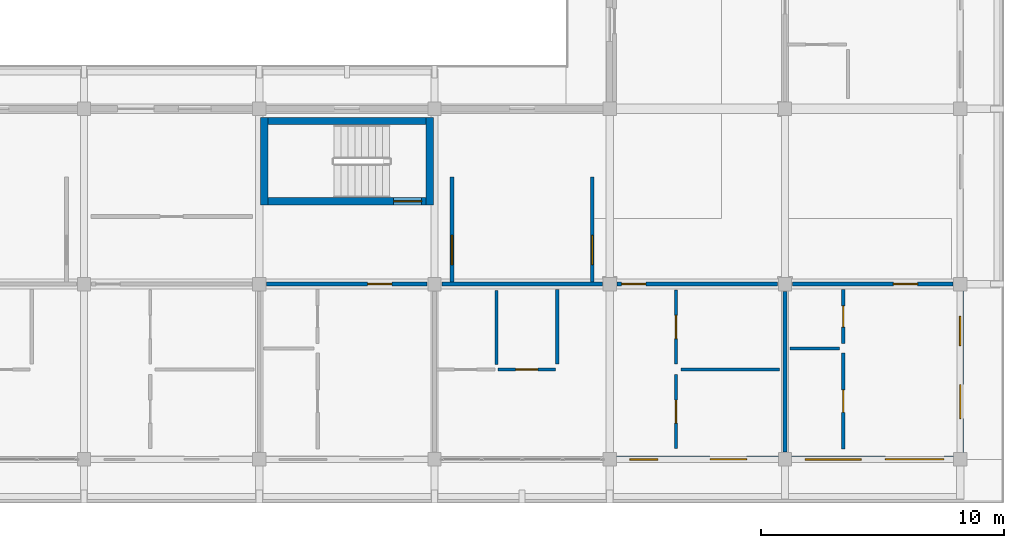
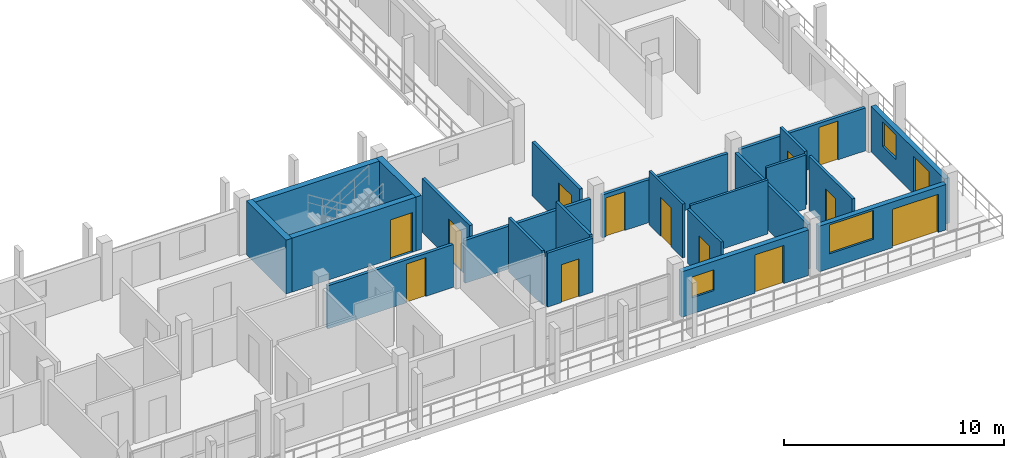
# One storey, part 46 of 67: 23 walls, 14 doors, 3 windows, 17 openings.
"""IFC4 building model written with IfcOpenShell, lengths in metres."""

from ifc_helpers import new_model, si_unit, direction, frame, frame_2d, origin, place, context, subcontext, project, spatial, rectangle, extrude, material, layer, layer_set, type_object, element, fill, save


model = new_model("IFC4")

# Units and contexts
model_context = context("Model", 3, precision=1e-05, world=origin(), true_north=direction((0.0, 1.0)))
body_context = subcontext(model_context, "Body", "Model", "MODEL_VIEW")
ifc_project = project(units=[si_unit("LENGTHUNIT", "METRE"), si_unit("AREAUNIT", "SQUARE_METRE"), si_unit("VOLUMEUNIT", "CUBIC_METRE"), si_unit("PLANEANGLEUNIT", "RADIAN"), si_unit("MASSUNIT", "GRAM", prefix="KILO")], contexts=[model_context])

# Site, building, storey
site_placement = place(None, origin())
site = spatial("IfcSite", under=ifc_project, at=site_placement, CompositionType="ELEMENT")
building_placement = place(site_placement, origin())
building = spatial("IfcBuilding", under=site, at=building_placement, Name="Suanplinth Sawtooth Commons", CompositionType="ELEMENT")
storey_placement = place(building_placement, frame((0.0, 0.0, 25.10009765625)))
storey = spatial("IfcBuildingStorey", under=building, at=storey_placement, Name="L07", CompositionType="ELEMENT", Elevation=25.10009765625)

# Wall, opening, door
ifc_material_1 = material(Name="Concrete C40/50", Category="concrete")
ifc_layer_1 = layer(ifc_material_1, 0.300048828125, Name="Standard RC stair and lift core wall 300mm")
ifc_layer_set_1 = layer_set([ifc_layer_1], Name="Concrete C40/50")
wall_type_1 = type_object("IfcWallType", Name="W-CR02", PredefinedType="SHEAR", material=ifc_layer_set_1)
wall_1_placement = place(storey_placement, frame((158.75, 10.60009765625, 0.0), z_axis=(0.0, 0.0, 1.0), x_axis=(1.0, 0.0, 0.0)))
wall_1 = element("IfcWall", 1, at=wall_1_placement, inside=storey, type_object=wall_type_1, Name="W-L07-C-C2-STS", PredefinedType="SHEAR", context=body_context, shape_type="SweptSolid", body=[
    extrude(rectangle(XDim=6.5, YDim=0.300048828125, at=frame_2d((3.25, 0.0))), origin(), (0.0, 0.0, 1.0), 2.989990234375),
])
opening_1_placement = place(wall_1_placement, frame((5.169921875, 0.0, 0.0)))
opening_1 = element("IfcOpeningElement", 2, at=opening_1_placement, cuts=wall_1, Name="Opening FD0345", PredefinedType="OPENING", context=body_context, shape_type="SweptSolid", body=[
    extrude(rectangle(XDim=1.14990234375, YDim=2.199951171875, at=frame_2d((0.574951171875, 1.10009765625))), frame((0.0, 0.1650390625, 0.0), z_axis=(0.0, -1.0, 0.0), x_axis=(1.0, 0.0, 0.0)), (0.0, 0.0, 1.0), 0.329833984375),
])
ifc_material_2 = material(Name="Teak hardwood fire-rated door assembly", Category="wood")
door_type_1 = type_object("IfcDoorType", Name="FD-01", OperationType="NOTDEFINED", PredefinedType="DOOR", material=ifc_material_2)
door_1_placement = place(opening_1_placement, origin())
door_1 = element("IfcDoor", 3, at=door_1_placement, inside=storey, type_object=door_type_1, Name="Exit Stair Fire Door FD0345", OperationType="SINGLE_SWING_RIGHT", OverallHeight=2.199951171875, OverallWidth=1.14990234375, PredefinedType="DOOR", context=body_context, shape_type="SweptSolid", body=[
    extrude(rectangle(XDim=1.14990234375, YDim=2.199951171875, at=frame_2d((0.574951171875, 1.10009765625))), frame((0.0, 0.02490234375, 0.0), z_axis=(0.0, -1.0, 0.0), x_axis=(1.0, 0.0, 0.0)), (0.0, 0.0, 1.0), 0.050048828125),
])
fill(opening_1, door_1)

# Walls
wall_2_placement = place(storey_placement, frame((158.75, 13.89990234375, 0.0), z_axis=(0.0, 0.0, 1.0), x_axis=(1.0, 0.0, 0.0)))
element("IfcWall", 4, at=wall_2_placement, inside=storey, type_object=wall_type_1, Name="W-L07-C-C2-STN", PredefinedType="SHEAR", context=body_context, shape_type="SweptSolid", body=[
    extrude(rectangle(XDim=6.5, YDim=0.300048828125, at=frame_2d((3.25, 0.0))), origin(), (0.0, 0.0, 1.0), 2.989990234375),
])
for number, where, z_axis, x_axis, name in (
    (5, (158.60009765625, 10.449951171875, 0.0), (0.0, 0.0, 1.0), (0.0, 1.0, 0.0), "W-L07-C-C2-STW"),
    (6, (165.39990234375, 10.449951171875, 0.0), (0.0, 0.0, 1.0), (0.0, 1.0, 0.0), "W-L07-C-C2-STE"),
):
    element("IfcWall", number, at=place(storey_placement, frame(where, z_axis=z_axis, x_axis=x_axis)), inside=storey, type_object=wall_type_1, Name=name, PredefinedType="SHEAR", context=body_context, shape_type="SweptSolid", body=[
        extrude(rectangle(XDim=3.60009765625, YDim=0.300048828125, at=frame_2d((1.800048828125, 0.0))), origin(), (0.0, 0.0, 1.0), 2.989990234375),
    ])

# Wall, openings, door, window
ifc_material_3 = material(Name="Precast concrete C40/50", Category="concrete")
ifc_layer_2 = layer(ifc_material_3, 0.260009765625, Name="Insulated precast courtyard facade wall 260mm")
ifc_layer_set_2 = layer_set([ifc_layer_2], Name="Precast concrete C40/50")
wall_type_2 = type_object("IfcWallType", Name="W-EX02", PredefinedType="ELEMENTEDWALL", material=ifc_layer_set_2)
wall_3_placement = place(storey_placement, frame((173.074951171875, 0.0, 0.0), z_axis=(0.0, 0.0, 1.0), x_axis=(1.0, 0.0, 0.0)))
wall_3 = element("IfcWall", 7, at=wall_3_placement, inside=storey, type_object=wall_type_2, Name="Facade Wall W-L07-C-S-24-0", PredefinedType="ELEMENTEDWALL", context=body_context, shape_type="SweptSolid", body=[
    extrude(rectangle(XDim=6.650146484375, YDim=0.260009765625, at=frame_2d((3.3251953125, 0.0))), origin(), (0.0, 0.0, 1.0), 2.52490234375),
])
opening_2_placement = place(wall_3_placement, frame((3.85009765625, 0.0, 0.0)))
opening_2 = element("IfcOpeningElement", 8, at=opening_2_placement, cuts=wall_3, Name="Opening ED0598", PredefinedType="OPENING", context=body_context, shape_type="SweptSolid", body=[
    extrude(rectangle(XDim=1.5, YDim=2.1201171875, at=frame_2d((0.75, 1.06005859375))), frame((0.0, 0.14501953125, 0.0), z_axis=(0.0, -1.0, 0.0), x_axis=(1.0, 0.0, 0.0)), (0.0, 0.0, 1.0), 0.289794921875),
])
opening_3_placement = place(wall_3_placement, frame((0.550048828125, 0.0, 0.89990234375)))
opening_3 = element("IfcOpeningElement", 9, at=opening_3_placement, cuts=wall_3, Name="Opening W0683", PredefinedType="OPENING", context=body_context, shape_type="SweptSolid", body=[
    extrude(rectangle(XDim=1.14990234375, YDim=1.14990234375, at=frame_2d((0.574951171875, 0.574951171875))), frame((0.0, 0.14501953125, 0.0), z_axis=(0.0, -1.0, 0.0), x_axis=(1.0, 0.0, 0.0)), (0.0, 0.0, 1.0), 0.289794921875),
])
ifc_material_4 = material(Name="Anodized aluminium and low-E glass", Category="aluminium")
door_type_2 = type_object("IfcDoorType", Name="SD-03", OperationType="SLIDING_TO_LEFT", PredefinedType="DOOR", material=ifc_material_4)
door_2_placement = place(opening_2_placement, frame((1.5, 0.0, 0.0), z_axis=(0.0, 0.0, 1.0), x_axis=(-1.0, 0.0, 0.0)))
door_2 = element("IfcDoor", 10, at=door_2_placement, inside=storey, type_object=door_type_2, Name="Balcony Sliding Door L07-C-24", OperationType="SLIDING_TO_LEFT", OverallHeight=2.1201171875, OverallWidth=1.5, PredefinedType="DOOR", context=body_context, shape_type="SweptSolid", body=[
    extrude(rectangle(XDim=1.5, YDim=2.1201171875, at=frame_2d((0.75, 1.06005859375))), frame((0.0, 0.02490234375, 0.0), z_axis=(0.0, -1.0, 0.0), x_axis=(1.0, 0.0, 0.0)), (0.0, 0.0, 1.0), 0.050048828125),
])
fill(opening_2, door_2)
ifc_material_5 = material(Name="Thermally broken aluminium and low-E double glazing", Category="aluminium")
window_type_1 = type_object("IfcWindowType", Name="WN-20", PartitioningType="SINGLE_PANEL", PredefinedType="WINDOW", material=ifc_material_5)
window_1_placement = place(opening_3_placement, origin())
window_1 = element("IfcWindow", 11, at=window_1_placement, inside=storey, type_object=window_type_1, Name="Apartment Window L07-C-24", OverallHeight=1.14990234375, OverallWidth=1.14990234375, PartitioningType="SINGLE_PANEL", PredefinedType="WINDOW", context=body_context, shape_type="SweptSolid", body=[
    extrude(rectangle(XDim=1.14990234375, YDim=1.14990234375, at=frame_2d((0.574951171875, 0.574951171875))), frame((0.0, 0.030029296875, 0.0), z_axis=(0.0, -1.0, 0.0), x_axis=(1.0, 0.0, 0.0)), (0.0, 0.0, 1.0), 0.06005859375),
])
fill(opening_3, window_1)

wall_4_placement = place(storey_placement, frame((180.27490234375, 0.0, 0.0), z_axis=(0.0, 0.0, 1.0), x_axis=(1.0, 0.0, 0.0)))
wall_4 = element("IfcWall", 12, at=wall_4_placement, inside=storey, type_object=wall_type_2, Name="Facade Wall W-L07-C-S-25-0", PredefinedType="ELEMENTEDWALL", context=body_context, shape_type="SweptSolid", body=[
    extrude(rectangle(XDim=6.650146484375, YDim=0.260009765625, at=frame_2d((3.3251953125, 0.0))), origin(), (0.0, 0.0, 1.0), 2.52490234375),
])
opening_4_placement = place(wall_4_placement, frame((3.85009765625, 0.0, 0.0)))
opening_4 = element("IfcOpeningElement", 13, at=opening_4_placement, cuts=wall_4, Name="Opening ED0602", PredefinedType="OPENING", context=body_context, shape_type="SweptSolid", body=[
    extrude(rectangle(XDim=2.39990234375, YDim=2.1201171875, at=frame_2d((1.199951171875, 1.06005859375))), frame((0.0, 0.14501953125, 0.0), z_axis=(0.0, -1.0, 0.0), x_axis=(1.0, 0.0, 0.0)), (0.0, 0.0, 1.0), 0.289794921875),
])
opening_5_placement = place(wall_4_placement, frame((0.550048828125, 0.0, 0.81494140625)))
opening_5 = element("IfcOpeningElement", 14, at=opening_5_placement, cuts=wall_4, Name="Opening W0685", PredefinedType="OPENING", context=body_context, shape_type="SweptSolid", body=[
    extrude(rectangle(XDim=2.300048828125, YDim=1.60009765625, at=frame_2d((1.14990234375, 0.800048828125))), frame((0.0, 0.14501953125, 0.0), z_axis=(0.0, -1.0, 0.0), x_axis=(1.0, 0.0, 0.0)), (0.0, 0.0, 1.0), 0.289794921875),
])
door_type_3 = type_object("IfcDoorType", Name="SD-04", OperationType="DOUBLE_DOOR_SLIDING", PredefinedType="DOOR", material=ifc_material_4)
door_3_placement = place(opening_4_placement, frame((2.39990234375, 0.0, 0.0), z_axis=(0.0, 0.0, 1.0), x_axis=(-1.0, 0.0, 0.0)))
door_3 = element("IfcDoor", 15, at=door_3_placement, inside=storey, type_object=door_type_3, Name="Balcony Sliding Door L07-C-25", OperationType="DOUBLE_DOOR_SLIDING", OverallHeight=2.1201171875, OverallWidth=2.39990234375, PredefinedType="DOOR", context=body_context, shape_type="SweptSolid", body=[
    extrude(rectangle(XDim=2.39990234375, YDim=2.1201171875, at=frame_2d((1.199951171875, 1.06005859375))), frame((0.0, 0.02490234375, 0.0), z_axis=(0.0, -1.0, 0.0), x_axis=(1.0, 0.0, 0.0)), (0.0, 0.0, 1.0), 0.050048828125),
])
fill(opening_4, door_3)
window_type_2 = type_object("IfcWindowType", Name="WN-21", PartitioningType="TRIPLE_PANEL_VERTICAL", PredefinedType="WINDOW", material=ifc_material_5)
window_2_placement = place(opening_5_placement, origin())
window_2 = element("IfcWindow", 16, at=window_2_placement, inside=storey, type_object=window_type_2, Name="Apartment Window L07-C-25", OverallHeight=1.60009765625, OverallWidth=2.300048828125, PartitioningType="TRIPLE_PANEL_VERTICAL", PredefinedType="WINDOW", context=body_context, shape_type="SweptSolid", body=[
    extrude(rectangle(XDim=2.300048828125, YDim=1.60009765625, at=frame_2d((1.14990234375, 0.800048828125))), frame((0.0, 0.030029296875, 0.0), z_axis=(0.0, -1.0, 0.0), x_axis=(1.0, 0.0, 0.0)), (0.0, 0.0, 1.0), 0.06005859375),
])
fill(opening_5, window_2)

wall_5_placement = place(storey_placement, frame((187.199951171875, 0.27490234375, 0.0), z_axis=(0.0, 0.0, 1.0), x_axis=(0.0, 1.0, 0.0)))
wall_5 = element("IfcWall", 17, at=wall_5_placement, inside=storey, type_object=wall_type_2, Name="Facade Wall W-L07-C-E-25-0", PredefinedType="ELEMENTEDWALL", context=body_context, shape_type="SweptSolid", body=[
    extrude(rectangle(XDim=6.650146484375, YDim=0.260009765625, at=frame_2d((3.3251953125, 0.0))), origin(), (0.0, 0.0, 1.0), 2.52490234375),
])
opening_6_placement = place(wall_5_placement, frame((1.39990234375, 0.0, 0.0)))
opening_6 = element("IfcOpeningElement", 18, at=opening_6_placement, cuts=wall_5, Name="Opening ED0603", PredefinedType="OPENING", context=body_context, shape_type="SweptSolid", body=[
    extrude(rectangle(XDim=1.39990234375, YDim=2.10009765625, at=frame_2d((0.699951171875, 1.050048828125))), frame((0.0, 0.14501953125, 0.0), z_axis=(0.0, -1.0, 0.0), x_axis=(1.0, 0.0, 0.0)), (0.0, 0.0, 1.0), 0.289794921875),
])
opening_7_placement = place(wall_5_placement, frame((4.39990234375, 0.0, 0.949951171875)))
opening_7 = element("IfcOpeningElement", 19, at=opening_7_placement, cuts=wall_5, Name="Opening W0686", PredefinedType="OPENING", context=body_context, shape_type="SweptSolid", body=[
    extrude(rectangle(XDim=1.199951171875, YDim=1.35009765625, at=frame_2d((0.60009765625, 0.675048828125))), frame((0.0, 0.14501953125, 0.0), z_axis=(0.0, -1.0, 0.0), x_axis=(1.0, 0.0, 0.0)), (0.0, 0.0, 1.0), 0.289794921875),
])
door_type_4 = type_object("IfcDoorType", Name="SD-07", OperationType="SLIDING_TO_RIGHT", PredefinedType="DOOR", material=ifc_material_4)
door_4_placement = place(opening_6_placement, frame((1.39990234375, 0.0, 0.0), z_axis=(0.0, 0.0, 1.0), x_axis=(-1.0, 0.0, 0.0)))
door_4 = element("IfcDoor", 20, at=door_4_placement, inside=storey, type_object=door_type_4, Name="End Balcony Sliding Door L07-C-E-25-0", OperationType="SLIDING_TO_RIGHT", OverallHeight=2.10009765625, OverallWidth=1.39990234375, PredefinedType="DOOR", context=body_context, shape_type="SweptSolid", body=[
    extrude(rectangle(XDim=1.39990234375, YDim=2.10009765625, at=frame_2d((0.699951171875, 1.050048828125))), frame((0.0, 0.02490234375, 0.0), z_axis=(0.0, -1.0, 0.0), x_axis=(1.0, 0.0, 0.0)), (0.0, 0.0, 1.0), 0.050048828125),
])
fill(opening_6, door_4)
window_type_3 = type_object("IfcWindowType", Name="WN-03", PartitioningType="SINGLE_PANEL", PredefinedType="WINDOW", material=ifc_material_5)
window_3_placement = place(opening_7_placement, origin())
window_3 = element("IfcWindow", 21, at=window_3_placement, inside=storey, type_object=window_type_3, Name="End Bedroom Window L07-C-25-0", OverallHeight=1.35009765625, OverallWidth=1.199951171875, PartitioningType="SINGLE_PANEL", PredefinedType="WINDOW", context=body_context, shape_type="SweptSolid", body=[
    extrude(rectangle(XDim=1.199951171875, YDim=1.35009765625, at=frame_2d((0.60009765625, 0.675048828125))), frame((0.0, 0.030029296875, 0.0), z_axis=(0.0, -1.0, 0.0), x_axis=(1.0, 0.0, 0.0)), (0.0, 0.0, 1.0), 0.06005859375),
])
fill(opening_7, window_3)

# Wall, opening, door
ifc_layer_3 = layer(ifc_material_3, 0.159912109375, Name="Fire-rated corridor and lobby wall 160mm")
ifc_layer_set_3 = layer_set([ifc_layer_3], Name="Precast concrete C40/50")
wall_type_3 = type_object("IfcWallType", Name="W-FW01", PredefinedType="PARTITIONING", material=ifc_layer_set_3)
wall_6_placement = place(storey_placement, frame((166.320068359375, 7.280029296875, 0.0), z_axis=(0.0, 0.0, 1.0), x_axis=(0.0, 1.0, 0.0)))
wall_6 = element("IfcWall", 22, at=wall_6_placement, inside=storey, type_object=wall_type_3, Name="W-L07-C-C2-LOB-W", PredefinedType="PARTITIONING", context=body_context, shape_type="SweptSolid", body=[
    extrude(rectangle(XDim=4.320068359375, YDim=0.159912109375, at=frame_2d((2.16015625, 0.0))), origin(), (0.0, 0.0, 1.0), 2.989990234375),
])
opening_8_placement = place(wall_6_placement, frame((0.719970703125, 0.0, 0.0)))
opening_8 = element("IfcOpeningElement", 23, at=opening_8_placement, cuts=wall_6, Name="Opening FD0346", PredefinedType="OPENING", context=body_context, shape_type="SweptSolid", body=[
    extrude(rectangle(XDim=1.199951171875, YDim=2.199951171875, at=frame_2d((0.60009765625, 1.10009765625))), frame((0.0, 0.0947265625, 0.0), z_axis=(0.0, -1.0, 0.0), x_axis=(1.0, 0.0, 0.0)), (0.0, 0.0, 1.0), 0.189697265625),
])
door_type_5 = type_object("IfcDoorType", Name="FD-02", OperationType="NOTDEFINED", PredefinedType="DOOR", material=ifc_material_2)
door_5_placement = place(opening_8_placement, origin())
door_5 = element("IfcDoor", 24, at=door_5_placement, inside=storey, type_object=door_type_5, Name="Lobby Fire Door FD0346", OperationType="SINGLE_SWING_LEFT", OverallHeight=2.199951171875, OverallWidth=1.199951171875, PredefinedType="DOOR", context=body_context, shape_type="SweptSolid", body=[
    extrude(rectangle(XDim=1.199951171875, YDim=2.199951171875, at=frame_2d((0.60009765625, 1.10009765625))), frame((0.0, 0.02490234375, 0.0), z_axis=(0.0, -1.0, 0.0), x_axis=(1.0, 0.0, 0.0)), (0.0, 0.0, 1.0), 0.050048828125),
])
fill(opening_8, door_5)

wall_7_placement = place(storey_placement, frame((172.080078125, 7.280029296875, 0.0), z_axis=(0.0, 0.0, 1.0), x_axis=(0.0, 1.0, 0.0)))
wall_7 = element("IfcWall", 25, at=wall_7_placement, inside=storey, type_object=wall_type_3, Name="W-L07-C-C2-LOB-E", PredefinedType="PARTITIONING", context=body_context, shape_type="SweptSolid", body=[
    extrude(rectangle(XDim=4.320068359375, YDim=0.159912109375, at=frame_2d((2.16015625, 0.0))), origin(), (0.0, 0.0, 1.0), 2.989990234375),
])
opening_9_placement = place(wall_7_placement, frame((0.719970703125, 0.0, 0.0)))
opening_9 = element("IfcOpeningElement", 26, at=opening_9_placement, cuts=wall_7, Name="Opening FD0347", PredefinedType="OPENING", context=body_context, shape_type="SweptSolid", body=[
    extrude(rectangle(XDim=1.199951171875, YDim=2.199951171875, at=frame_2d((0.60009765625, 1.10009765625))), frame((0.0, 0.0947265625, 0.0), z_axis=(0.0, -1.0, 0.0), x_axis=(1.0, 0.0, 0.0)), (0.0, 0.0, 1.0), 0.189697265625),
])
door_6_placement = place(opening_9_placement, frame((1.199951171875, 0.0, 0.0), z_axis=(0.0, 0.0, 1.0), x_axis=(-1.0, 0.0, 0.0)))
door_6 = element("IfcDoor", 27, at=door_6_placement, inside=storey, type_object=door_type_5, Name="Lobby Fire Door FD0347", OperationType="SINGLE_SWING_RIGHT", OverallHeight=2.199951171875, OverallWidth=1.199951171875, PredefinedType="DOOR", context=body_context, shape_type="SweptSolid", body=[
    extrude(rectangle(XDim=1.199951171875, YDim=2.199951171875, at=frame_2d((0.60009765625, 1.10009765625))), frame((0.0, 0.02490234375, 0.0), z_axis=(0.0, -1.0, 0.0), x_axis=(1.0, 0.0, 0.0)), (0.0, 0.0, 1.0), 0.050048828125),
])
fill(opening_9, door_6)

wall_8_placement = place(storey_placement, frame((158.705078125, 7.199951171875, 0.0), z_axis=(0.0, 0.0, 1.0), x_axis=(1.0, 0.0, 0.0)))
wall_8 = element("IfcWall", 28, at=wall_8_placement, inside=storey, type_object=wall_type_3, Name="W-C-L07-U04-COR", PredefinedType="PARTITIONING", context=body_context, shape_type="SweptSolid", body=[
    extrude(rectangle(XDim=6.58984375, YDim=0.159912109375, at=frame_2d((3.294921875, 0.0))), origin(), (0.0, 0.0, 1.0), 2.375),
])
opening_10_placement = place(wall_8_placement, frame((4.14501953125, 0.0, 0.0)))
opening_10 = element("IfcOpeningElement", 29, at=opening_10_placement, cuts=wall_8, Name="Opening FD1582", PredefinedType="OPENING", context=body_context, shape_type="SweptSolid", body=[
    extrude(rectangle(XDim=1.0, YDim=2.14990234375, at=frame_2d((0.5, 1.074951171875))), frame((0.0, 0.0947265625, 0.0), z_axis=(0.0, -1.0, 0.0), x_axis=(1.0, 0.0, 0.0)), (0.0, 0.0, 1.0), 0.189697265625),
])
door_type_6 = type_object("IfcDoorType", Name="FD-03", OperationType="NOTDEFINED", PredefinedType="DOOR", material=ifc_material_2)
door_7_placement = place(opening_10_placement, frame((1.0, 0.0, 0.0), z_axis=(0.0, 0.0, 1.0), x_axis=(-1.0, 0.0, 0.0)))
door_7 = element("IfcDoor", 30, at=door_7_placement, inside=storey, type_object=door_type_6, Name="Unit Entrance Door FD1582", OperationType="SINGLE_SWING_RIGHT", OverallHeight=2.14990234375, OverallWidth=1.0, PredefinedType="DOOR", context=body_context, shape_type="SweptSolid", body=[
    extrude(rectangle(XDim=1.0, YDim=2.14990234375, at=frame_2d((0.5, 1.074951171875))), frame((0.0, 0.02490234375, 0.0), z_axis=(0.0, -1.0, 0.0), x_axis=(1.0, 0.0, 0.0)), (0.0, 0.0, 1.0), 0.050048828125),
])
fill(opening_10, door_7)

# Wall
wall_9_placement = place(storey_placement, frame((165.905029296875, 7.199951171875, 0.0), z_axis=(0.0, 0.0, 1.0), x_axis=(1.0, 0.0, 0.0)))
element("IfcWall", 31, at=wall_9_placement, inside=storey, type_object=wall_type_3, Name="W-C-L07-U05-COR-S1", PredefinedType="PARTITIONING", context=body_context, shape_type="SweptSolid", body=[
    extrude(rectangle(XDim=6.590087890625, YDim=0.159912109375, at=frame_2d((3.294921875, 0.0))), origin(), (0.0, 0.0, 1.0), 2.375),
])

# Wall, opening, door
wall_10_placement = place(storey_placement, frame((173.10498046875, 7.199951171875, 0.0), z_axis=(0.0, 0.0, 1.0), x_axis=(1.0, 0.0, 0.0)))
wall_10 = element("IfcWall", 32, at=wall_10_placement, inside=storey, type_object=wall_type_3, Name="W-C-L07-U05-COR-S2", PredefinedType="PARTITIONING", context=body_context, shape_type="SweptSolid", body=[
    extrude(rectangle(XDim=6.590087890625, YDim=0.159912109375, at=frame_2d((3.294921875, 0.0))), origin(), (0.0, 0.0, 1.0), 2.375),
])
opening_11_placement = place(wall_10_placement, frame((0.179931640625, 0.0, 0.0)))
opening_11 = element("IfcOpeningElement", 33, at=opening_11_placement, cuts=wall_10, Name="Opening FD1585", PredefinedType="OPENING", context=body_context, shape_type="SweptSolid", body=[
    extrude(rectangle(XDim=1.0, YDim=2.14990234375, at=frame_2d((0.5, 1.074951171875))), frame((0.0, 0.0947265625, 0.0), z_axis=(0.0, -1.0, 0.0), x_axis=(1.0, 0.0, 0.0)), (0.0, 0.0, 1.0), 0.189697265625),
])
door_8_placement = place(opening_11_placement, frame((1.0, 0.0, 0.0), z_axis=(0.0, 0.0, 1.0), x_axis=(-1.0, 0.0, 0.0)))
door_8 = element("IfcDoor", 34, at=door_8_placement, inside=storey, type_object=door_type_6, Name="Unit Entrance Door FD1585", OperationType="SINGLE_SWING_LEFT", OverallHeight=2.14990234375, OverallWidth=1.0, PredefinedType="DOOR", context=body_context, shape_type="SweptSolid", body=[
    extrude(rectangle(XDim=1.0, YDim=2.14990234375, at=frame_2d((0.5, 1.074951171875))), frame((0.0, 0.02490234375, 0.0), z_axis=(0.0, -1.0, 0.0), x_axis=(1.0, 0.0, 0.0)), (0.0, 0.0, 1.0), 0.050048828125),
])
fill(opening_11, door_8)

wall_11_placement = place(storey_placement, frame((180.304931640625, 7.199951171875, 0.0), z_axis=(0.0, 0.0, 1.0), x_axis=(1.0, 0.0, 0.0)))
wall_11 = element("IfcWall", 35, at=wall_11_placement, inside=storey, type_object=wall_type_3, Name="W-C-L07-U06-COR", PredefinedType="PARTITIONING", context=body_context, shape_type="SweptSolid", body=[
    extrude(rectangle(XDim=6.590087890625, YDim=0.159912109375, at=frame_2d((3.294921875, 0.0))), origin(), (0.0, 0.0, 1.0), 2.375),
])
opening_12_placement = place(wall_11_placement, frame((4.14501953125, 0.0, 0.0)))
opening_12 = element("IfcOpeningElement", 36, at=opening_12_placement, cuts=wall_11, Name="Opening FD1590", PredefinedType="OPENING", context=body_context, shape_type="SweptSolid", body=[
    extrude(rectangle(XDim=1.0, YDim=2.14990234375, at=frame_2d((0.5, 1.074951171875))), frame((0.0, 0.0947265625, 0.0), z_axis=(0.0, -1.0, 0.0), x_axis=(1.0, 0.0, 0.0)), (0.0, 0.0, 1.0), 0.189697265625),
])
door_9_placement = place(opening_12_placement, frame((1.0, 0.0, 0.0), z_axis=(0.0, 0.0, 1.0), x_axis=(-1.0, 0.0, 0.0)))
door_9 = element("IfcDoor", 37, at=door_9_placement, inside=storey, type_object=door_type_6, Name="Unit Entrance Door FD1590", OperationType="SINGLE_SWING_RIGHT", OverallHeight=2.14990234375, OverallWidth=1.0, PredefinedType="DOOR", context=body_context, shape_type="SweptSolid", body=[
    extrude(rectangle(XDim=1.0, YDim=2.14990234375, at=frame_2d((0.5, 1.074951171875))), frame((0.0, 0.02490234375, 0.0), z_axis=(0.0, -1.0, 0.0), x_axis=(1.0, 0.0, 0.0)), (0.0, 0.0, 1.0), 0.050048828125),
])
fill(opening_12, door_9)

# Wall
ifc_layer_4 = layer(ifc_material_3, 0.14990234375, Name="Acoustic precast party demising wall 150mm")
ifc_layer_set_4 = layer_set([ifc_layer_4], Name="Precast concrete C40/50")
wall_type_4 = type_object("IfcWallType", Name="W-FW02", PredefinedType="PARTITIONING", material=ifc_layer_set_4)
wall_12_placement = place(storey_placement, frame((180.0, 0.304931640625, 0.0), z_axis=(0.0, 0.0, 1.0), x_axis=(0.0, 1.0, 0.0)))
element("IfcWall", 38, at=wall_12_placement, inside=storey, type_object=wall_type_4, Name="W-C-L07-U05-PTY", PredefinedType="PARTITIONING", context=body_context, shape_type="SweptSolid", body=[
    extrude(rectangle(XDim=6.590087890625, YDim=0.14990234375, at=frame_2d((3.294921875, 0.0))), origin(), (0.0, 0.0, 1.0), 2.474853515625),
])

# Wall, opening, door
ifc_material_6 = material(Name="Gypsum plasterboard on steel stud", Category="steel")
ifc_layer_5 = layer(ifc_material_6, 0.139892578125, Name="Fire-rated kitchen partition 140mm")
ifc_layer_set_5 = layer_set([ifc_layer_5], Name="Gypsum plasterboard on steel stud")
wall_type_5 = type_object("IfcWallType", Name="W-PT01", PredefinedType="PARTITIONING", material=ifc_layer_set_5)
wall_13_placement = place(storey_placement, frame((168.199951171875, 3.68994140625, 0.0), z_axis=(0.0, 0.0, 1.0), x_axis=(1.0, 0.0, 0.0)))
wall_13 = element("IfcWall", 39, at=wall_13_placement, inside=storey, type_object=wall_type_5, Name="W-C-L07-U05-KIT1", PredefinedType="PARTITIONING", context=body_context, shape_type="SweptSolid", body=[
    extrude(rectangle(XDim=2.380126953125, YDim=0.139892578125, at=frame_2d((1.18994140625, 0.0))), origin(), (0.0, 0.0, 1.0), 2.989990234375),
])
opening_13_placement = place(wall_13_placement, frame((0.72998046875, 0.0, 0.0)))
opening_13 = element("IfcOpeningElement", 40, at=opening_13_placement, cuts=wall_13, Name="Opening D1587", PredefinedType="OPENING", context=body_context, shape_type="SweptSolid", body=[
    extrude(rectangle(XDim=0.919921875, YDim=2.10009765625, at=frame_2d((0.4599609375, 1.050048828125))), frame((0.0, 0.0849609375, 0.0), z_axis=(0.0, -1.0, 0.0), x_axis=(1.0, 0.0, 0.0)), (0.0, 0.0, 1.0), 0.169677734375),
])
ifc_material_7 = material(Name="Teak hardwood", Category="wood")
door_type_7 = type_object("IfcDoorType", Name="D-02", OperationType="NOTDEFINED", PredefinedType="DOOR", material=ifc_material_7)
door_10_placement = place(opening_13_placement, origin())
door_10 = element("IfcDoor", 41, at=door_10_placement, inside=storey, type_object=door_type_7, Name="Kitchen Door D1587", OperationType="SINGLE_SWING_LEFT", OverallHeight=2.10009765625, OverallWidth=0.919921875, PredefinedType="DOOR", context=body_context, shape_type="SweptSolid", body=[
    extrude(rectangle(XDim=0.919921875, YDim=2.10009765625, at=frame_2d((0.4599609375, 1.050048828125))), frame((0.0, 0.02490234375, 0.0), z_axis=(0.0, -1.0, 0.0), x_axis=(1.0, 0.0, 0.0)), (0.0, 0.0, 1.0), 0.050048828125),
])
fill(opening_13, door_10)

# Wall
wall_14_placement = place(storey_placement, frame((170.64990234375, 3.909912109375, 0.0), z_axis=(0.0, 0.0, 1.0), x_axis=(0.0, 1.0, 0.0)))
element("IfcWall", 42, at=wall_14_placement, inside=storey, type_object=wall_type_5, Name="W-C-L07-U05-KIT2", PredefinedType="PARTITIONING", context=body_context, shape_type="SweptSolid", body=[
    extrude(rectangle(XDim=3.06005859375, YDim=0.139892578125, at=frame_2d((1.530029296875, 0.0))), origin(), (0.0, 0.0, 1.0), 2.989990234375),
])

# Wall, opening, door
wall_15_placement = place(storey_placement, frame((182.39501953125, 0.419921875, 0.0), z_axis=(0.0, 0.0, 1.0), x_axis=(0.0, 1.0, 0.0)))
wall_15 = element("IfcWall", 43, at=wall_15_placement, inside=storey, type_object=wall_type_5, Name="W-C-L07-U06-KITE", PredefinedType="PARTITIONING", context=body_context, shape_type="SweptSolid", body=[
    extrude(rectangle(XDim=3.940185546875, YDim=0.139892578125, at=frame_2d((1.97021484375, 0.0))), origin(), (0.0, 0.0, 1.0), 2.989990234375),
])
opening_14_placement = place(wall_15_placement, frame((1.510009765625, 0.0, 0.0)))
opening_14 = element("IfcOpeningElement", 44, at=opening_14_placement, cuts=wall_15, Name="Opening D1592", PredefinedType="OPENING", context=body_context, shape_type="SweptSolid", body=[
    extrude(rectangle(XDim=0.919921875, YDim=2.10009765625, at=frame_2d((0.4599609375, 1.050048828125))), frame((0.0, 0.0849609375, 0.0), z_axis=(0.0, -1.0, 0.0), x_axis=(1.0, 0.0, 0.0)), (0.0, 0.0, 1.0), 0.169677734375),
])
door_11_placement = place(opening_14_placement, origin())
door_11 = element("IfcDoor", 45, at=door_11_placement, inside=storey, type_object=door_type_7, Name="Kitchen Door D1592", OperationType="SINGLE_SWING_RIGHT", OverallHeight=2.10009765625, OverallWidth=0.919921875, PredefinedType="DOOR", context=body_context, shape_type="SweptSolid", body=[
    extrude(rectangle(XDim=0.919921875, YDim=2.10009765625, at=frame_2d((0.4599609375, 1.050048828125))), frame((0.0, 0.02490234375, 0.0), z_axis=(0.0, -1.0, 0.0), x_axis=(1.0, 0.0, 0.0)), (0.0, 0.0, 1.0), 0.050048828125),
])
fill(opening_14, door_11)

# Walls
ifc_layer_6 = layer(ifc_material_6, 0.1298828125, Name="Moisture-resistant bathroom partition 130mm")
ifc_layer_set_6 = layer_set([ifc_layer_6], Name="Gypsum plasterboard on steel stud")
wall_type_6 = type_object("IfcWallType", Name="W-PT02", PredefinedType="PARTITIONING", material=ifc_layer_set_6)
wall_16_placement = place(storey_placement, frame((168.14501953125, 3.89990234375, 0.0), z_axis=(0.0, 0.0, 1.0), x_axis=(0.0, 1.0, 0.0)))
element("IfcWall", 46, at=wall_16_placement, inside=storey, type_object=wall_type_6, Name="W-C-L07-U05-BTH2", PredefinedType="PARTITIONING", context=body_context, shape_type="SweptSolid", body=[
    extrude(rectangle(XDim=3.0400390625, YDim=0.1298828125, at=frame_2d((1.52001953125, 0.0))), origin(), (0.0, 0.0, 1.0), 2.989990234375),
])
wall_17_placement = place(storey_placement, frame((180.199951171875, 4.56005859375, 0.0), z_axis=(0.0, 0.0, 1.0), x_axis=(1.0, 0.0, 0.0)))
element("IfcWall", 47, at=wall_17_placement, inside=storey, type_object=wall_type_6, Name="W-C-L07-U06-STDIV", PredefinedType="PARTITIONING", context=body_context, shape_type="SweptSolid", body=[
    extrude(rectangle(XDim=2.050048828125, YDim=0.1298828125, at=frame_2d((1.02490234375, 0.0))), origin(), (0.0, 0.0, 1.0), 2.989990234375),
])

# Wall, opening, door
wall_18_placement = place(storey_placement, frame((182.39501953125, 4.760009765625, 0.0), z_axis=(0.0, 0.0, 1.0), x_axis=(0.0, 1.0, 0.0)))
wall_18 = element("IfcWall", 48, at=wall_18_placement, inside=storey, type_object=wall_type_6, Name="W-C-L07-U06-BTHE", PredefinedType="PARTITIONING", context=body_context, shape_type="SweptSolid", body=[
    extrude(rectangle(XDim=2.219970703125, YDim=0.1298828125, at=frame_2d((1.10986328125, 0.0))), origin(), (0.0, 0.0, 1.0), 2.989990234375),
])
opening_15_placement = place(wall_18_placement, frame((0.669921875, 0.0, 0.0)))
opening_15 = element("IfcOpeningElement", 49, at=opening_15_placement, cuts=wall_18, Name="Opening D1591", PredefinedType="OPENING", context=body_context, shape_type="SweptSolid", body=[
    extrude(rectangle(XDim=0.8798828125, YDim=2.10009765625, at=frame_2d((0.43994140625, 1.050048828125))), frame((0.0, 0.079833984375, 0.0), z_axis=(0.0, -1.0, 0.0), x_axis=(1.0, 0.0, 0.0)), (0.0, 0.0, 1.0), 0.15966796875),
])
door_type_8 = type_object("IfcDoorType", Name="D-14", OperationType="NOTDEFINED", PredefinedType="DOOR", material=ifc_material_7)
door_12_placement = place(opening_15_placement, origin())
door_12 = element("IfcDoor", 50, at=door_12_placement, inside=storey, type_object=door_type_8, Name="Bathroom Door D1591", OperationType="SINGLE_SWING_LEFT", OverallHeight=2.10009765625, OverallWidth=0.8798828125, PredefinedType="DOOR", context=body_context, shape_type="SweptSolid", body=[
    extrude(rectangle(XDim=0.8798828125, YDim=2.10009765625, at=frame_2d((0.43994140625, 1.050048828125))), frame((0.0, 0.02490234375, 0.0), z_axis=(0.0, -1.0, 0.0), x_axis=(1.0, 0.0, 0.0)), (0.0, 0.0, 1.0), 0.050048828125),
])
fill(opening_15, door_12)

ifc_layer_7 = layer(ifc_material_6, 0.1201171875, Name="Acoustic bedroom partition 120mm")
ifc_layer_set_7 = layer_set([ifc_layer_7], Name="Gypsum plasterboard on steel stud")
wall_type_7 = type_object("IfcWallType", Name="W-PT03", PredefinedType="PARTITIONING", material=ifc_layer_set_7)
wall_19_placement = place(storey_placement, frame((175.52001953125, 3.919921875, 0.0), z_axis=(0.0, 0.0, 1.0), x_axis=(0.0, 1.0, 0.0)))
wall_19 = element("IfcWall", 51, at=wall_19_placement, inside=storey, type_object=wall_type_7, Name="W-C-L07-U05-BED2", PredefinedType="PARTITIONING", context=body_context, shape_type="SweptSolid", body=[
    extrude(rectangle(XDim=3.0400390625, YDim=0.1201171875, at=frame_2d((1.52001953125, 0.0))), origin(), (0.0, 0.0, 1.0), 2.989990234375),
])
opening_16_placement = place(wall_19_placement, frame((1.0400390625, 0.0, 0.0)))
opening_16 = element("IfcOpeningElement", 52, at=opening_16_placement, cuts=wall_19, Name="Opening D1589", PredefinedType="OPENING", context=body_context, shape_type="SweptSolid", body=[
    extrude(rectangle(XDim=0.9599609375, YDim=2.14990234375, at=frame_2d((0.47998046875, 1.074951171875))), frame((0.0, 0.074951171875, 0.0), z_axis=(0.0, -1.0, 0.0), x_axis=(1.0, 0.0, 0.0)), (0.0, 0.0, 1.0), 0.14990234375),
])
door_type_9 = type_object("IfcDoorType", Name="D-13", OperationType="NOTDEFINED", PredefinedType="DOOR", material=ifc_material_7)
door_13_placement = place(opening_16_placement, frame((0.9599609375, 0.0, 0.0), z_axis=(0.0, 0.0, 1.0), x_axis=(-1.0, 0.0, 0.0)))
door_13 = element("IfcDoor", 53, at=door_13_placement, inside=storey, type_object=door_type_9, Name="Second Bedroom Door D1589", OperationType="SINGLE_SWING_LEFT", OverallHeight=2.14990234375, OverallWidth=0.9599609375, PredefinedType="DOOR", context=body_context, shape_type="SweptSolid", body=[
    extrude(rectangle(XDim=0.9599609375, YDim=2.14990234375, at=frame_2d((0.47998046875, 1.074951171875))), frame((0.0, 0.02490234375, 0.0), z_axis=(0.0, -1.0, 0.0), x_axis=(1.0, 0.0, 0.0)), (0.0, 0.0, 1.0), 0.050048828125),
])
fill(opening_16, door_13)

# Wall
ifc_layer_8 = layer(ifc_material_6, 0.125, Name="Acoustic study partition 125mm")
ifc_layer_set_8 = layer_set([ifc_layer_8], Name="Gypsum plasterboard on steel stud")
wall_type_8 = type_object("IfcWallType", Name="W-PT06", PredefinedType="PARTITIONING", material=ifc_layer_set_8)
wall_20_placement = place(storey_placement, frame((175.719970703125, 3.699951171875, 0.0), z_axis=(0.0, 0.0, 1.0), x_axis=(1.0, 0.0, 0.0)))
element("IfcWall", 54, at=wall_20_placement, inside=storey, type_object=wall_type_8, Name="W-C-L07-U05-BEDDIV", PredefinedType="PARTITIONING", context=body_context, shape_type="SweptSolid", body=[
    extrude(rectangle(XDim=4.06005859375, YDim=0.125, at=frame_2d((2.030029296875, 0.0))), origin(), (0.0, 0.0, 1.0), 2.989990234375),
])

# Wall, opening, door
ifc_layer_9 = layer(ifc_material_6, 0.135009765625, Name="Insulated bedroom demising partition 135mm")
ifc_layer_set_9 = layer_set([ifc_layer_9], Name="Gypsum plasterboard on steel stud")
wall_type_9 = type_object("IfcWallType", Name="W-PT07", PredefinedType="PARTITIONING", material=ifc_layer_set_9)
wall_21_placement = place(storey_placement, frame((175.52001953125, 0.43994140625, 0.0), z_axis=(0.0, 0.0, 1.0), x_axis=(0.0, 1.0, 0.0)))
wall_21 = element("IfcWall", 55, at=wall_21_placement, inside=storey, type_object=wall_type_9, Name="W-C-L07-U05-BED1", PredefinedType="PARTITIONING", context=body_context, shape_type="SweptSolid", body=[
    extrude(rectangle(XDim=3.0400390625, YDim=0.135009765625, at=frame_2d((1.52001953125, 0.0))), origin(), (0.0, 0.0, 1.0), 2.989990234375),
])
opening_17_placement = place(wall_21_placement, frame((1.044921875, 0.0, 0.0)))
opening_17 = element("IfcOpeningElement", 56, at=opening_17_placement, cuts=wall_21, Name="Opening D1588", PredefinedType="OPENING", context=body_context, shape_type="SweptSolid", body=[
    extrude(rectangle(XDim=0.949951171875, YDim=2.14990234375, at=frame_2d((0.47509765625, 1.074951171875))), frame((0.0, 0.08251953125, 0.0), z_axis=(0.0, -1.0, 0.0), x_axis=(1.0, 0.0, 0.0)), (0.0, 0.0, 1.0), 0.164794921875),
])
door_type_10 = type_object("IfcDoorType", Name="D-03", OperationType="NOTDEFINED", PredefinedType="DOOR", material=ifc_material_7)
door_14_placement = place(opening_17_placement, frame((0.949951171875, 0.0, 0.0), z_axis=(0.0, 0.0, 1.0), x_axis=(-1.0, 0.0, 0.0)))
door_14 = element("IfcDoor", 57, at=door_14_placement, inside=storey, type_object=door_type_10, Name="Bedroom Door D1588", OperationType="SINGLE_SWING_RIGHT", OverallHeight=2.14990234375, OverallWidth=0.949951171875, PredefinedType="DOOR", context=body_context, shape_type="SweptSolid", body=[
    extrude(rectangle(XDim=0.949951171875, YDim=2.14990234375, at=frame_2d((0.47509765625, 1.074951171875))), frame((0.0, 0.02490234375, 0.0), z_axis=(0.0, -1.0, 0.0), x_axis=(1.0, 0.0, 0.0)), (0.0, 0.0, 1.0), 0.050048828125),
])
fill(opening_17, door_14)

save(model, "model.ifc")
